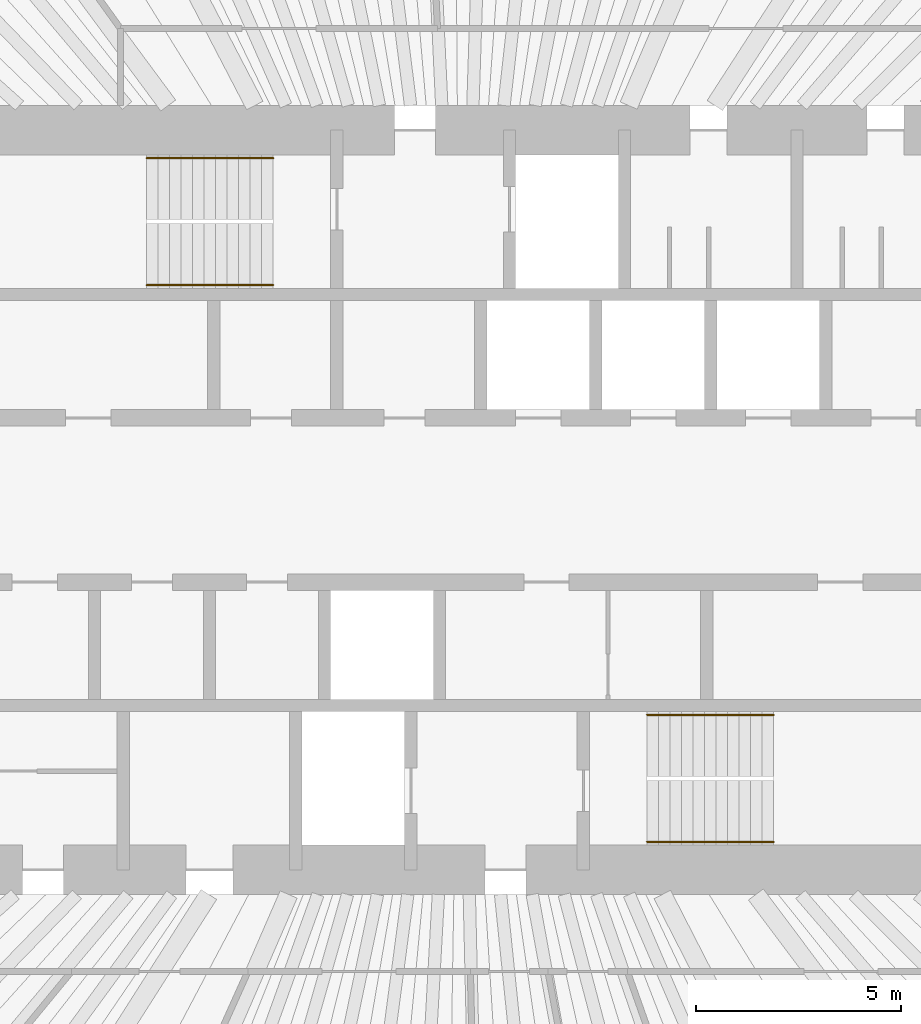
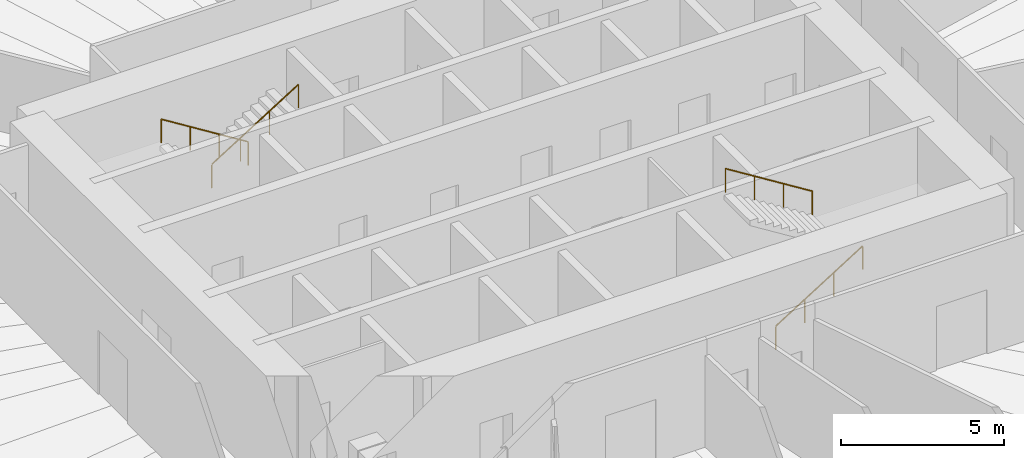
# One storey, part 13 of 13: 4 railings.
"""IFC4 building model written with IfcOpenShell, lengths in metres."""

from ifc_helpers import new_model, si_unit, direction, frame, origin, origin_2d, place, context, subcontext, project, spatial, circle, extrude, material, type_object, element, save


model = new_model("IFC4")

# Units and contexts
model_context = context("Model", 3, precision=1e-05, world=origin(), true_north=direction((0.0, 1.0)))
body_context = subcontext(model_context, "Body", "Model", "MODEL_VIEW")
ifc_project = project(units=[si_unit("LENGTHUNIT", "METRE"), si_unit("AREAUNIT", "SQUARE_METRE"), si_unit("VOLUMEUNIT", "CUBIC_METRE"), si_unit("PLANEANGLEUNIT", "RADIAN"), si_unit("MASSUNIT", "GRAM", prefix="KILO")], contexts=[model_context])

# Site, building, storey
site_placement = place(None, origin())
site = spatial("IfcSite", under=ifc_project, at=site_placement, CompositionType="ELEMENT")
building_placement = place(site_placement, origin())
building = spatial("IfcBuilding", under=site, at=building_placement, Name="Qingtian Harvest Tower", CompositionType="ELEMENT")
storey_placement = place(building_placement, frame((0.0, 0.0, 222.39990234375)))
storey = spatial("IfcBuildingStorey", under=building, at=storey_placement, Name="L48", CompositionType="ELEMENT", Elevation=222.39990234375)

# Railings
ifc_material = material(Name="Stainless steel handrail", Category="steel")
railing_type = type_object("IfcRailingType", Name="Handrail HR1", PredefinedType="HANDRAIL", material=ifc_material)
railing_1_placement = place(storey_placement, frame((-4.550048828125, 8.320068359375, 0.175048828125)))
element("IfcRailing", 1, at=railing_1_placement, inside=storey, type_object=railing_type, Name="Handrail HR1 S1 flight 1", PredefinedType="HANDRAIL", context=body_context, shape_type="SweptSolid", body=[
    extrude(circle(Radius=0.02392578125, at=origin_2d()), frame((0.0, 0.0, 0.8759765625), z_axis=(-0.847979421464, 0.0, 0.530029150871), x_axis=(0.0, -1.0, 0.0)), (0.0, 0.0, 1.0), 3.632080078125),
    extrude(circle(Radius=0.02099609375, at=origin_2d()), origin(), (0.0, 0.0, 1.0), 0.851806640625),
    extrude(circle(Radius=0.02099609375, at=origin_2d()), frame((-1.026611328125, 0.0, 0.6416015625)), (0.0, 0.0, 1.0), 0.851806640625),
    extrude(circle(Radius=0.02099609375, at=origin_2d()), frame((-2.05322265625, 0.0, 1.283447265625)), (0.0, 0.0, 1.0), 0.851806640625),
    extrude(circle(Radius=0.02099609375, at=origin_2d()), frame((-3.079833984375, 0.0, 1.925048828125)), (0.0, 0.0, 1.0), 0.851806640625),
])
for number, where, name in (
    (2, (-7.6298828125, 5.22998046875, 2.275146484375), "Handrail HR1 S1 flight 2"),
    (3, (4.550048828125, -8.320068359375, 0.175048828125), "Handrail HR1 S2 flight 1"),
):
    element("IfcRailing", number, at=place(storey_placement, frame(where)), inside=storey, type_object=railing_type, Name=name, PredefinedType="HANDRAIL", context=body_context, shape_type="SweptSolid", body=[
        extrude(circle(Radius=0.02392578125, at=origin_2d()), frame((0.0, 0.0, 0.8759765625), z_axis=(0.847979421464, 0.0, 0.530029150871), x_axis=(0.0, 1.0, 0.0)), (0.0, 0.0, 1.0), 3.632080078125),
        extrude(circle(Radius=0.02099609375, at=origin_2d()), origin(), (0.0, 0.0, 1.0), 0.851806640625),
        extrude(circle(Radius=0.02099609375, at=origin_2d()), frame((1.026611328125, 0.0, 0.6416015625)), (0.0, 0.0, 1.0), 0.851806640625),
        extrude(circle(Radius=0.02099609375, at=origin_2d()), frame((2.05322265625, 0.0, 1.283447265625)), (0.0, 0.0, 1.0), 0.851806640625),
        extrude(circle(Radius=0.02099609375, at=origin_2d()), frame((3.079833984375, 0.0, 1.925048828125)), (0.0, 0.0, 1.0), 0.851806640625),
    ])
railing_2_placement = place(storey_placement, frame((7.6298828125, -5.22998046875, 2.275146484375)))
element("IfcRailing", 4, at=railing_2_placement, inside=storey, type_object=railing_type, Name="Handrail HR1 S2 flight 2", PredefinedType="HANDRAIL", context=body_context, shape_type="SweptSolid", body=[
    extrude(circle(Radius=0.02392578125, at=origin_2d()), frame((0.0, 0.0, 0.8759765625), z_axis=(-0.847979421464, 0.0, 0.530029150871), x_axis=(0.0, -1.0, 0.0)), (0.0, 0.0, 1.0), 3.632080078125),
    extrude(circle(Radius=0.02099609375, at=origin_2d()), origin(), (0.0, 0.0, 1.0), 0.851806640625),
    extrude(circle(Radius=0.02099609375, at=origin_2d()), frame((-1.026611328125, 0.0, 0.6416015625)), (0.0, 0.0, 1.0), 0.851806640625),
    extrude(circle(Radius=0.02099609375, at=origin_2d()), frame((-2.05322265625, 0.0, 1.283447265625)), (0.0, 0.0, 1.0), 0.851806640625),
    extrude(circle(Radius=0.02099609375, at=origin_2d()), frame((-3.079833984375, 0.0, 1.925048828125)), (0.0, 0.0, 1.0), 0.851806640625),
])

save(model, "model.ifc")
